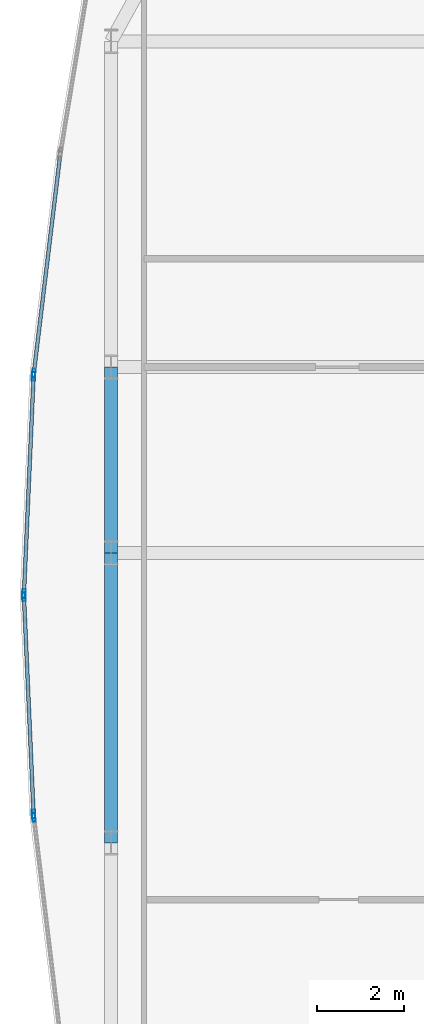
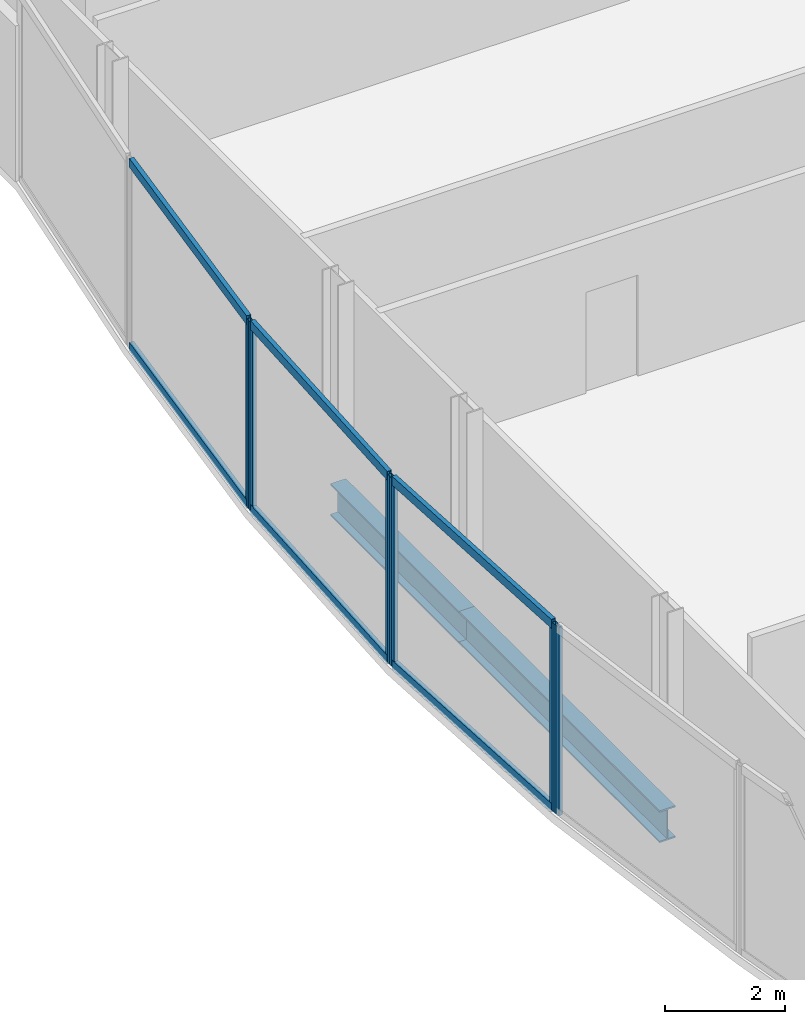
# One storey, part 10 of 32: 12 members, 2 beams, 4 elements without a shape of their own.
"""IFC4 building model written with IfcOpenShell, lengths in metres."""

from ifc_helpers import new_model, si_unit, direction, frame, origin, origin_2d, place, context, subcontext, project, spatial, hollow_rectangle, i_section, extrude, material, material_profile, profile_set, type_object, element, aggregate, save


model = new_model("IFC4")

# Units and contexts
model_context = context("Model", 3, precision=1e-05, world=origin(), true_north=direction((0.0, 1.0)))
body_context = subcontext(model_context, "Body", "Model", "MODEL_VIEW")
ifc_project = project(units=[si_unit("LENGTHUNIT", "METRE"), si_unit("AREAUNIT", "SQUARE_METRE"), si_unit("VOLUMEUNIT", "CUBIC_METRE"), si_unit("PLANEANGLEUNIT", "RADIAN"), si_unit("MASSUNIT", "GRAM", prefix="KILO")], contexts=[model_context])

# Site, building, storey
site_placement = place(None, origin())
site = spatial("IfcSite", under=ifc_project, at=site_placement, CompositionType="ELEMENT")
building_placement = place(site_placement, origin())
building = spatial("IfcBuilding", under=site, at=building_placement, Name="Khoronbel Lancet Exchange", CompositionType="ELEMENT")
storey_placement = place(building_placement, frame((0.0, 0.0, 65.800048828125)))
storey = spatial("IfcBuildingStorey", under=building, at=storey_placement, Name="L15", CompositionType="ELEMENT", Elevation=65.800048828125)

# Beams
ifc_material_1 = material(Name="Steel S355", Category="steel")
ifc_material_profile_1 = material_profile(ifc_material_1, i_section(OverallWidth=0.300048828125, OverallDepth=0.64990234375, WebThickness=0.01611328125, FlangeThickness=0.031005859375, at=origin_2d()), Name="HEB 650")
ifc_profile_set_1 = profile_set([ifc_material_profile_1], Name="Steel S355")
beam_type = type_object("IfcBeamType", Name="BM-BSP1", PredefinedType="SPANDREL", material=ifc_profile_set_1)
beam_1_placement = place(storey_placement, frame((1.27001953125, 35.699951171875, -0.505126953125), z_axis=(0.0, -1.0, 0.0), x_axis=(1.0, 0.0, 0.0)))
element("IfcBeam", 1, at=beam_1_placement, inside=storey, type_object=beam_type, Name="Level L15 perimeter spandrel beam SP18", PredefinedType="SPANDREL", context=body_context, shape_type="SweptSolid", body=[
    extrude(i_section(OverallWidth=0.300048828125, OverallDepth=0.64990234375, WebThickness=0.01611328125, FlangeThickness=0.031005859375, at=origin_2d()), origin(), (0.0, 0.0, 1.0), 4.27490234375),
])
beam_2_placement = place(storey_placement, frame((1.27001953125, 31.425048828125, -0.505126953125), z_axis=(0.0, -1.0, 0.0), x_axis=(1.0, 0.0, 0.0)))
element("IfcBeam", 2, at=beam_2_placement, inside=storey, type_object=beam_type, Name="Level L15 perimeter spandrel beam SP19", PredefinedType="SPANDREL", context=body_context, shape_type="SweptSolid", body=[
    extrude(i_section(OverallWidth=0.300048828125, OverallDepth=0.64990234375, WebThickness=0.01611328125, FlangeThickness=0.031005859375, at=origin_2d()), origin(), (0.0, 0.0, 1.0), 6.675048828125),
])

# Curtain wall, member
ifc_material_2 = material(Name="Low-E Solar Control Insulating Glass", Category="glass")
curtain_wall_type = type_object("IfcCurtainWallType", Name="CW-4", PredefinedType="NOTDEFINED", material=ifc_material_2)
curtain_wall_1_placement = place(storey_placement, origin())
curtain_wall_1 = element("IfcCurtainWall", 3, at=curtain_wall_1_placement, inside=storey, type_object=curtain_wall_type, Name="Unitised curtain wall CW-L15-E05", PredefinedType="NOTDEFINED")
ifc_material_3 = material(Name="Bronze-Anodised Aluminium 6063-T6", Category="aluminium")
ifc_material_profile_2 = material_profile(ifc_material_3, hollow_rectangle(XDim=0.074951171875, YDim=0.199951171875, WallThickness=0.0048828125, at=origin_2d()), Name="ALU MULLION 75x200")
ifc_profile_set_2 = profile_set([ifc_material_profile_2], Name="Bronze-Anodised Aluminium 6063-T6")
member_type_1 = type_object("IfcMemberType", Name="MEM-CWM2", PredefinedType="MULLION", material=ifc_profile_set_2)
member_1_placement = place(storey_placement, frame((-0.50732421875, 25.3369140625, 0.0), z_axis=(0.0, 0.0, 1.0), x_axis=(-0.992797337114, -0.119805873895, 0.0)))
member_1 = element("IfcMember", 4, at=member_1_placement, type_object=member_type_1, Name="CW4 mullion 2", PredefinedType="MULLION", context=body_context, shape_type="SweptSolid", body=[
    extrude(hollow_rectangle(XDim=0.074951171875, YDim=0.199951171875, WallThickness=0.0048828125, at=origin_2d()), origin(), (0.0, 0.0, 1.0), 3.820068359375),
])
aggregate(curtain_wall_1, [member_1])

# Curtain wall, members
curtain_wall_2_placement = place(storey_placement, origin())
curtain_wall_2 = element("IfcCurtainWall", 5, at=curtain_wall_2_placement, inside=storey, type_object=curtain_wall_type, Name="Unitised curtain wall CW-L15-E06", PredefinedType="NOTDEFINED")
member_2_placement = place(storey_placement, frame((-0.513427734375, 25.41162109375, 0.0), z_axis=(0.0, 0.0, 1.0), x_axis=(-0.999025952335, -0.044126483681, 0.0)))
member_2 = element("IfcMember", 6, at=member_2_placement, type_object=member_type_1, Name="CW4 mullion 1", PredefinedType="MULLION", context=body_context, shape_type="SweptSolid", body=[
    extrude(hollow_rectangle(XDim=0.074951171875, YDim=0.199951171875, WallThickness=0.0048828125, at=origin_2d()), origin(), (0.0, 0.0, 1.0), 3.820068359375),
])
member_3_placement = place(storey_placement, frame((-0.734130859375, 30.41259765625, 0.0), z_axis=(0.0, 0.0, 1.0), x_axis=(-0.999025952335, -0.044126483681, 0.0)))
member_3 = element("IfcMember", 7, at=member_3_placement, type_object=member_type_1, Name="CW4 mullion 2", PredefinedType="MULLION", context=body_context, shape_type="SweptSolid", body=[
    extrude(hollow_rectangle(XDim=0.074951171875, YDim=0.199951171875, WallThickness=0.0048828125, at=origin_2d()), origin(), (0.0, 0.0, 1.0), 3.820068359375),
])

curtain_wall_3_placement = place(storey_placement, origin())
curtain_wall_3 = element("IfcCurtainWall", 8, at=curtain_wall_3_placement, inside=storey, type_object=curtain_wall_type, Name="Unitised curtain wall CW-L15-E07", PredefinedType="NOTDEFINED")
member_4_placement = place(storey_placement, frame((-0.734130859375, 30.487548828125, 0.0), z_axis=(0.0, 0.0, 1.0), x_axis=(-0.999025952335, 0.044126483681, 0.0)))
member_4 = element("IfcMember", 9, at=member_4_placement, type_object=member_type_1, Name="CW4 mullion 1", PredefinedType="MULLION", context=body_context, shape_type="SweptSolid", body=[
    extrude(hollow_rectangle(XDim=0.074951171875, YDim=0.199951171875, WallThickness=0.0048828125, at=origin_2d()), origin(), (0.0, 0.0, 1.0), 3.820068359375),
])
member_5_placement = place(storey_placement, frame((-0.513427734375, 35.488525390625, 0.0), z_axis=(0.0, 0.0, 1.0), x_axis=(-0.999025952335, 0.044126483681, 0.0)))
member_5 = element("IfcMember", 10, at=member_5_placement, type_object=member_type_1, Name="CW4 mullion 2", PredefinedType="MULLION", context=body_context, shape_type="SweptSolid", body=[
    extrude(hollow_rectangle(XDim=0.074951171875, YDim=0.199951171875, WallThickness=0.0048828125, at=origin_2d()), origin(), (0.0, 0.0, 1.0), 3.820068359375),
])

# Curtain wall, member
curtain_wall_4_placement = place(storey_placement, origin())
curtain_wall_4 = element("IfcCurtainWall", 11, at=curtain_wall_4_placement, inside=storey, type_object=curtain_wall_type, Name="Unitised curtain wall CW-L15-E08", PredefinedType="NOTDEFINED")
member_6_placement = place(storey_placement, frame((-0.50732421875, 35.563232421875, 0.0), z_axis=(0.0, 0.0, 1.0), x_axis=(-0.992797337114, 0.119805873895, 0.0)))
member_6 = element("IfcMember", 12, at=member_6_placement, type_object=member_type_1, Name="CW4 mullion 1", PredefinedType="MULLION", context=body_context, shape_type="SweptSolid", body=[
    extrude(hollow_rectangle(XDim=0.074951171875, YDim=0.199951171875, WallThickness=0.0048828125, at=origin_2d()), origin(), (0.0, 0.0, 1.0), 3.820068359375),
])

# Member
ifc_material_profile_3 = material_profile(ifc_material_3, hollow_rectangle(XDim=0.0849609375, YDim=0.179931640625, WallThickness=0.0048828125, at=origin_2d()), Name="ALU TRANSOM 85x180")
ifc_profile_set_3 = profile_set([ifc_material_profile_3], Name="Bronze-Anodised Aluminium 6063-T6")
member_type_2 = type_object("IfcMemberType", Name="MEM-CWT1", PredefinedType="USERDEFINED", material=ifc_profile_set_3)
member_7_placement = place(storey_placement, frame((-0.514892578125, 25.448974609375, 0.04248046875), z_axis=(-0.044165614664, 0.99902422317, 0.0), x_axis=(-0.99902422317, -0.044165614664, 0.0)))
member_7 = element("IfcMember", 13, at=member_7_placement, type_object=member_type_2, Name="CW4 transom 1.1", ObjectType="TRANSOM", PredefinedType="USERDEFINED", context=body_context, shape_type="SweptSolid", body=[
    extrude(hollow_rectangle(XDim=0.0849609375, YDim=0.179931640625, WallThickness=0.0048828125, at=origin_2d()), origin(), (0.0, 0.0, 1.0), 4.930908203125),
])

member_8_placement = place(storey_placement, frame((-0.514892578125, 25.448974609375, 3.77734375), z_axis=(-0.044165614664, 0.99902422317, 0.0), x_axis=(-0.99902422317, -0.044165614664, 0.0)))
member_8 = element("IfcMember", 14, at=member_8_placement, type_object=member_type_2, Name="CW4 transom 1.2", ObjectType="TRANSOM", PredefinedType="USERDEFINED", context=body_context, shape_type="SweptSolid", body=[
    extrude(hollow_rectangle(XDim=0.0849609375, YDim=0.179931640625, WallThickness=0.0048828125, at=origin_2d()), origin(), (0.0, 0.0, 1.0), 4.930908203125),
])

aggregate(curtain_wall_2, [member_2, member_3, member_7, member_8])

member_9_placement = place(storey_placement, frame((-0.732666015625, 30.52490234375, 0.04248046875), z_axis=(0.044165614664, 0.99902422317, 0.0), x_axis=(-0.99902422317, 0.044165614664, 0.0)))
member_9 = element("IfcMember", 15, at=member_9_placement, type_object=member_type_2, Name="CW4 transom 1.1", ObjectType="TRANSOM", PredefinedType="USERDEFINED", context=body_context, shape_type="SweptSolid", body=[
    extrude(hollow_rectangle(XDim=0.0849609375, YDim=0.179931640625, WallThickness=0.0048828125, at=origin_2d()), origin(), (0.0, 0.0, 1.0), 4.930908203125),
])

member_10_placement = place(storey_placement, frame((-0.732666015625, 30.52490234375, 3.77734375), z_axis=(0.044165614664, 0.99902422317, 0.0), x_axis=(-0.99902422317, 0.044165614664, 0.0)))
member_10 = element("IfcMember", 16, at=member_10_placement, type_object=member_type_2, Name="CW4 transom 1.2", ObjectType="TRANSOM", PredefinedType="USERDEFINED", context=body_context, shape_type="SweptSolid", body=[
    extrude(hollow_rectangle(XDim=0.0849609375, YDim=0.179931640625, WallThickness=0.0048828125, at=origin_2d()), origin(), (0.0, 0.0, 1.0), 4.930908203125),
])

aggregate(curtain_wall_3, [member_4, member_5, member_9, member_10])

member_11_placement = place(storey_placement, frame((-0.502685546875, 35.600341796875, 0.04248046875), z_axis=(0.119785063408, 0.992799848199, 0.0), x_axis=(-0.992799848199, 0.119785063408, 0.0)))
member_11 = element("IfcMember", 17, at=member_11_placement, type_object=member_type_2, Name="CW4 transom 1.1", ObjectType="TRANSOM", PredefinedType="USERDEFINED", context=body_context, shape_type="SweptSolid", body=[
    extrude(hollow_rectangle(XDim=0.0849609375, YDim=0.179931640625, WallThickness=0.0048828125, at=origin_2d()), origin(), (0.0, 0.0, 1.0), 4.96484375),
])

member_12_placement = place(storey_placement, frame((-0.502685546875, 35.600341796875, 3.77734375), z_axis=(0.119785063408, 0.992799848199, 0.0), x_axis=(-0.992799848199, 0.119785063408, 0.0)))
member_12 = element("IfcMember", 18, at=member_12_placement, type_object=member_type_2, Name="CW4 transom 1.2", ObjectType="TRANSOM", PredefinedType="USERDEFINED", context=body_context, shape_type="SweptSolid", body=[
    extrude(hollow_rectangle(XDim=0.0849609375, YDim=0.179931640625, WallThickness=0.0048828125, at=origin_2d()), origin(), (0.0, 0.0, 1.0), 4.96484375),
])

aggregate(curtain_wall_4, [member_6, member_11, member_12])

save(model, "model.ifc")
